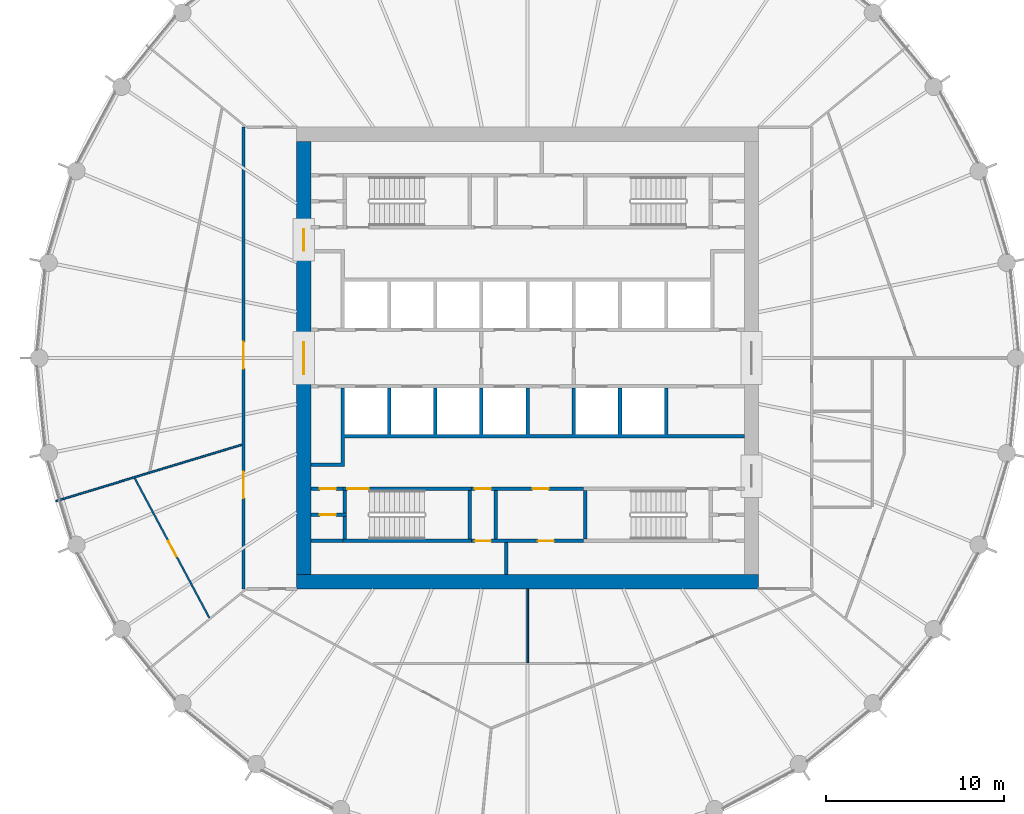
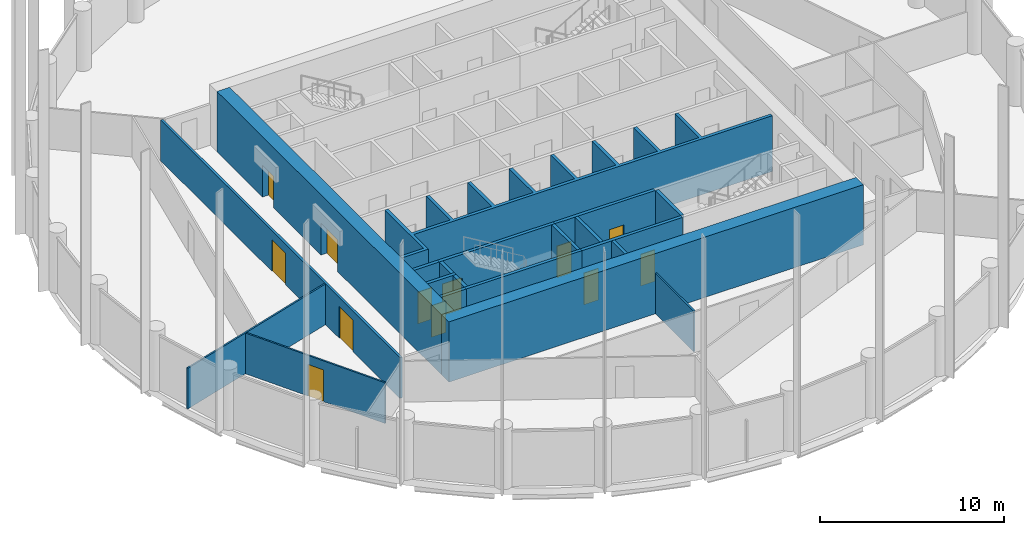
# One storey, part 4 of 8: 20 walls, 12 doors, 12 openings.
"""IFC4 building model written with IfcOpenShell, lengths in metres."""

import ifcopenshell
import ifcopenshell.guid

model = None  # the IFC model being written
_history = None  # IfcOwnerHistory: only IFC2X3 demands one
_inside = {}  # id of a spatial element -> (the spatial element, [elements in it])
_under = {}  # id of a project, library or spatial element -> (it, [spatial elements below it])
_declared = {}  # id of a project -> (the project, [libraries it declares])
_typed = {}  # id of a type object -> (the type object, [elements of that type])
_made_of = {}  # id of a material, layer set ... -> (it, [elements and type objects made of it])


def new_model(schema):
    """Start an empty IFC model of exactly this schema.

    Asked for "IFC4X3", IfcOpenShell would pick the latest addendum, in which some entities
    have other attributes; the version numbers below select the first issue.
    IFC2X3 requires an IfcOwnerHistory on every rooted entity: one is made here for all.
    """
    global model, _history
    if schema == "IFC4X3":
        model = ifcopenshell.file(schema_version=(4, 3, 0, 0))
    else:
        model = ifcopenshell.file(schema=schema)
    _inside.clear()
    _under.clear()
    _declared.clear()
    _typed.clear()
    _made_of.clear()
    _history = None
    if model.schema == "IFC2X3":
        org = make("IfcOrganization", Name="unknown")
        user = make(
            "IfcPersonAndOrganization",
            ThePerson=make("IfcPerson", FamilyName="unknown"),
            TheOrganization=org,
        )
        app = make(
            "IfcApplication",
            ApplicationDeveloper=org,
            Version="unknown",
            ApplicationFullName="unknown",
            ApplicationIdentifier="unknown",
        )
        _history = make(
            "IfcOwnerHistory",
            OwningUser=user,
            OwningApplication=app,
            ChangeAction="ADDED",
            CreationDate=0,
        )
    return model


def make(cls, **values):
    """One entity of the class cls with the attributes given. An attribute that is None is left unset."""
    return model.create_entity(
        cls, **{name: value for name, value in values.items() if value is not None}
    )


def rooted(cls, **values):
    """An entity with a GlobalId (a new one), such as an element, a storey or a relation."""
    return make(cls, GlobalId=ifcopenshell.guid.new(), OwnerHistory=_history, **values)


def si_unit(unit_type, name, prefix=None):
    """IfcSIUnit, for example si_unit("LENGTHUNIT", "METRE", prefix="MILLI")."""
    return make("IfcSIUnit", UnitType=unit_type, Prefix=prefix, Name=name)


def assignment(units):
    """IfcUnitAssignment: the units of a project."""
    return None if units is None else make("IfcUnitAssignment", Units=units)


def point(xyz):
    """IfcCartesianPoint."""
    return None if xyz is None else make("IfcCartesianPoint", Coordinates=xyz)


def direction(xyz):
    """IfcDirection."""
    return None if xyz is None else make("IfcDirection", DirectionRatios=xyz)


def frame(location, z_axis=None, x_axis=None):
    """IfcAxis2Placement3D, a coordinate frame: its origin and axes. An axis left out is left unset."""
    return make(
        "IfcAxis2Placement3D",
        Location=point(location),
        Axis=direction(z_axis),
        RefDirection=direction(x_axis),
    )


def frame_2d(location, x_axis=None):
    """IfcAxis2Placement2D, a coordinate frame in the plane: its origin and x axis."""
    return make(
        "IfcAxis2Placement2D", Location=point(location), RefDirection=direction(x_axis)
    )


def origin():
    """The frame at (0, 0, 0) with its axes left unset."""
    return frame((0.0, 0.0, 0.0))


def place(relative_to, where):
    """IfcLocalPlacement: puts the frame where relative to a parent placement (None: the world)."""
    return make(
        "IfcLocalPlacement", PlacementRelTo=relative_to, RelativePlacement=where
    )


def context(
    kind, dimensions, precision=None, world=None, true_north=None, identifier=None
):
    """IfcGeometricRepresentationContext, for example the 3D "Model" context."""
    return make(
        "IfcGeometricRepresentationContext",
        ContextIdentifier=identifier,
        ContextType=kind,
        CoordinateSpaceDimension=dimensions,
        Precision=precision,
        WorldCoordinateSystem=world,
        TrueNorth=true_north,
    )


def subcontext(parent, identifier, kind, view, scale=None):
    """IfcGeometricRepresentationSubContext, for example "Body" below "Model"."""
    return make(
        "IfcGeometricRepresentationSubContext",
        ContextIdentifier=identifier,
        ContextType=kind,
        ParentContext=parent,
        TargetScale=scale,
        TargetView=view,
    )


def project(units=None, contexts=None):
    """IfcProject with its units and contexts."""
    return rooted(
        "IfcProject",
        Name="project",
        RepresentationContexts=contexts,
        UnitsInContext=assignment(units),
    )


def spatial(cls, under=None, at=None, **own):
    """A site, building, storey or space (cls), placed at a placement, below another one or the project."""
    s = rooted(cls, ObjectPlacement=at, **own)
    if under is not None:
        _under.setdefault(under.id(), (under, []))[1].append(s)
    return s


def polyline(points):
    """IfcPolyline through the points."""
    return make("IfcPolyline", Points=[point(p) for p in points])


def profile(cls, at=None, kind="AREA", **sizes):
    """A parametric profile (cls). Its sizes go by their IFC names, for example OverallWidth=200.0."""
    return make(cls, ProfileType=kind, Position=at, **sizes)


def rectangle(**sizes):
    """IfcRectangleProfileDef."""
    return profile("IfcRectangleProfileDef", **sizes)


def outline(outer, holes=None, kind="AREA"):
    """IfcArbitraryClosedProfileDef: a profile drawn as a closed curve; with holes, ...WithVoids."""
    if holes is None:
        return make("IfcArbitraryClosedProfileDef", ProfileType=kind, OuterCurve=outer)
    return make(
        "IfcArbitraryProfileDefWithVoids",
        ProfileType=kind,
        OuterCurve=outer,
        InnerCurves=holes,
    )


def extrude(swept, where, along, depth):
    """IfcExtrudedAreaSolid: the profile swept, set in the frame where, extruded along a direction by depth."""
    return make(
        "IfcExtrudedAreaSolid",
        SweptArea=swept,
        Position=where,
        ExtrudedDirection=direction(along),
        Depth=depth,
    )


def shape(context_of_items, identifier, shape_type, items):
    """IfcShapeRepresentation: the items that make up one representation, for example the "Body"."""
    return make(
        "IfcShapeRepresentation",
        ContextOfItems=context_of_items,
        RepresentationIdentifier=identifier,
        RepresentationType=shape_type,
        Items=items,
    )


def material(Name=None, Category=None):
    """IfcMaterial."""
    return make("IfcMaterial", Name=Name, Category=Category)


def layer(
    of_material, thickness, ventilated=None, Name=None, Category=None, Priority=None
):
    """IfcMaterialLayer: one layer of a wall or slab, of a material (None: an air gap)."""
    return make(
        "IfcMaterialLayer",
        Material=of_material,
        LayerThickness=thickness,
        IsVentilated=ventilated,
        Name=Name,
        Category=Category,
        Priority=Priority,
    )


def layer_set(layers, Name=None):
    """IfcMaterialLayerSet."""
    return make("IfcMaterialLayerSet", MaterialLayers=layers, LayerSetName=Name)


def made_of(thing, what):
    """Note that an element or type object is made of a material, layer set ...; save() writes the relation."""
    if what is not None:
        _made_of.setdefault(what.id(), (what, []))[1].append(thing)
    return thing


def type_object(cls, material=None, **own):
    """A type object (cls), such as IfcWallType, which elements share."""
    return made_of(rooted(cls, **own), material)


def element(
    cls,
    number,
    at=None,
    inside=None,
    cuts=None,
    type_object=None,
    material=None,
    context=None,
    identifier="Body",
    shape_type=None,
    held_by="IfcProductDefinitionShape",
    body=None,
    shapes=None,
    **own,
):
    """One element of the class cls, such as IfcWall. Its Tag is "e" and its number.

    at: its placement. inside: the storey or other place that contains it. cuts: it is an
    opening in that element (IfcRelVoidsElement). A single representation is given by context,
    identifier, shape_type and body (its items); several are given by shapes. held_by: the class
    of the entity that holds the representations. save() writes the other relations.
    """
    e = rooted(cls, Tag="e%d" % number, ObjectPlacement=at, **own)
    if body is not None:
        shapes = [shape(context, identifier, shape_type, body)]
    if shapes is not None:
        e.Representation = make(held_by, Representations=shapes)
    if inside is not None:
        _inside.setdefault(inside.id(), (inside, []))[1].append(e)
    if cuts is not None:
        rooted(
            "IfcRelVoidsElement", RelatingBuildingElement=cuts, RelatedOpeningElement=e
        )
    if type_object is not None:
        _typed.setdefault(type_object.id(), (type_object, []))[1].append(e)
    return made_of(e, material)


def fill(opening, filler):
    """IfcRelFillsElement: the door or window that sits in an opening."""
    return rooted(
        "IfcRelFillsElement",
        RelatingOpeningElement=opening,
        RelatedBuildingElement=filler,
    )


def aggregate(whole, parts):
    """IfcRelAggregates: a whole, such as a stair, and the parts it consists of."""
    return rooted("IfcRelAggregates", RelatingObject=whole, RelatedObjects=parts)


def save(model, path):
    """Write the relations noted so far, then the file.

    IfcRelAggregates (storeys below a building ...), IfcRelContainedInSpatialStructure (elements
    in a storey), IfcRelDefinesByType, IfcRelAssociatesMaterial and IfcRelDeclares: one each for
    every whole, place, type object, material and project.
    """
    for whole, parts in _under.values():
        aggregate(whole, parts)
    for where, things in _inside.values():
        rooted(
            "IfcRelContainedInSpatialStructure",
            RelatedElements=things,
            RelatingStructure=where,
        )
    for kind, things in _typed.values():
        rooted("IfcRelDefinesByType", RelatedObjects=things, RelatingType=kind)
    for what, things in _made_of.values():
        rooted("IfcRelAssociatesMaterial", RelatedObjects=things, RelatingMaterial=what)
    for by, libraries in _declared.values():
        rooted("IfcRelDeclares", RelatingContext=by, RelatedDefinitions=libraries)
    model.write(path)


model = new_model("IFC4")

# Units and contexts
model_context = context("Model", 3, precision=1e-05, world=origin(), true_north=direction((0.0, 1.0)))
body_context = subcontext(model_context, "Body", "Model", "MODEL_VIEW")
ifc_project = project(units=[si_unit("LENGTHUNIT", "METRE"), si_unit("AREAUNIT", "SQUARE_METRE"), si_unit("VOLUMEUNIT", "CUBIC_METRE"), si_unit("PLANEANGLEUNIT", "RADIAN"), si_unit("MASSUNIT", "GRAM", prefix="KILO")], contexts=[model_context])

# Site, building, storey
site_placement = place(None, origin())
site = spatial("IfcSite", under=ifc_project, at=site_placement, CompositionType="ELEMENT")
building_placement = place(site_placement, origin())
building = spatial("IfcBuilding", under=site, at=building_placement, Name="Corvane Civic Tower", CompositionType="ELEMENT")
storey_placement = place(building_placement, frame((0.0, 0.0, 201.5)))
storey = spatial("IfcBuildingStorey", under=building, at=storey_placement, Name="L47", CompositionType="ELEMENT", Elevation=201.5)

# Wall
ifc_material_1 = material(Name="Concrete C50/60", Category="concrete")
ifc_layer_1 = layer(ifc_material_1, 0.800048828125)
ifc_layer_set_1 = layer_set([ifc_layer_1], Name="Concrete C50/60")
wall_type_1 = type_object("IfcWallType", Name="CORE WALL 800 C50/60", PredefinedType="SHEAR", material=ifc_layer_set_1)
wall_1_placement = place(storey_placement, frame((-13.0, -12.60009765625, 0.0), z_axis=(0.0, 0.0, 1.0), x_axis=(1.0, 0.0, 0.0)))
element("IfcWall", 1, at=wall_1_placement, inside=storey, type_object=wall_type_1, Name="W-L47-core-S", PredefinedType="SHEAR", context=body_context, shape_type="SweptSolid", body=[
    extrude(rectangle(XDim=26.0, YDim=0.800048828125, at=frame_2d((13.0, 0.0))), origin(), (0.0, 0.0, 1.0), 4.0),
])

# Wall, openings, doors
wall_2_placement = place(storey_placement, frame((-12.60009765625, -12.199951171875, 0.0), z_axis=(0.0, 0.0, 1.0), x_axis=(0.0, 1.0, 0.0)))
wall_2 = element("IfcWall", 2, at=wall_2_placement, inside=storey, type_object=wall_type_1, Name="W-L47-core-W", PredefinedType="SHEAR", context=body_context, shape_type="SweptSolid", body=[
    extrude(rectangle(XDim=24.39990234375, YDim=0.800048828125, at=frame_2d((12.199951171875, 0.0))), origin(), (0.0, 0.0, 1.0), 4.0),
])
opening_1_placement = place(wall_2_placement, frame((11.300048828125, 0.0, 0.0)))
opening_1 = element("IfcOpeningElement", 3, at=opening_1_placement, cuts=wall_2, Name="Opening L47.C30", PredefinedType="OPENING", context=body_context, shape_type="SweptSolid", body=[
    extrude(rectangle(XDim=1.800048828125, YDim=2.10009765625, at=frame_2d((0.89990234375, 1.050048828125))), frame((0.0, 0.409912109375, 0.0), z_axis=(0.0, -1.0, 0.0), x_axis=(1.0, 0.0, 0.0)), (0.0, 0.0, 1.0), 0.820068359375),
])
opening_2_placement = place(wall_2_placement, frame((18.25, 0.0, 0.0)))
opening_2 = element("IfcOpeningElement", 4, at=opening_2_placement, cuts=wall_2, Name="Opening L47.C32", PredefinedType="OPENING", context=body_context, shape_type="SweptSolid", body=[
    extrude(rectangle(XDim=1.199951171875, YDim=2.10009765625, at=frame_2d((0.60009765625, 1.050048828125))), frame((0.0, 0.409912109375, 0.0), z_axis=(0.0, -1.0, 0.0), x_axis=(1.0, 0.0, 0.0)), (0.0, 0.0, 1.0), 0.820068359375),
])
ifc_material_2 = material(Name="Steel fire door leaf", Category="steel")
door_type_1 = type_object("IfcDoorType", Name="CR-DOOR-CORE-1800", OperationType="DOUBLE_DOOR_SINGLE_SWING", PredefinedType="DOOR", material=ifc_material_2)
door_1_placement = place(opening_1_placement, origin())
door_1 = element("IfcDoor", 5, at=door_1_placement, inside=storey, type_object=door_type_1, Name="L47 door", OperationType="DOUBLE_DOOR_SINGLE_SWING", OverallHeight=2.10009765625, OverallWidth=1.800048828125, PredefinedType="DOOR", context=body_context, shape_type="SweptSolid", body=[
    extrude(rectangle(XDim=1.800048828125, YDim=2.10009765625, at=frame_2d((0.89990234375, 1.050048828125))), frame((0.0, 0.02490234375, 0.0), z_axis=(0.0, -1.0, 0.0), x_axis=(1.0, 0.0, 0.0)), (0.0, 0.0, 1.0), 0.050048828125),
])
fill(opening_1, door_1)
door_2_placement = place(opening_2_placement, origin())
door_2 = element("IfcDoor", 6, at=door_2_placement, inside=storey, type_object=door_type_1, Name="L47 door", OperationType="DOUBLE_DOOR_SINGLE_SWING", OverallHeight=2.10009765625, OverallWidth=1.199951171875, PredefinedType="DOOR", context=body_context, shape_type="SweptSolid", body=[
    extrude(rectangle(XDim=1.199951171875, YDim=2.10009765625, at=frame_2d((0.60009765625, 1.050048828125))), frame((0.0, 0.02490234375, 0.0), z_axis=(0.0, -1.0, 0.0), x_axis=(1.0, 0.0, 0.0)), (0.0, 0.0, 1.0), 0.050048828125),
])
fill(opening_2, door_2)

ifc_material_3 = material(Name="Concrete C30/37", Category="concrete")
ifc_layer_2 = layer(ifc_material_3, 0.199951171875)
ifc_layer_set_2 = layer_set([ifc_layer_2], Name="Concrete C30/37")
wall_type_2 = type_object("IfcWallType", Name="CR-WALL-200", PredefinedType="PARTITIONING", material=ifc_layer_set_2)
wall_3_placement = place(storey_placement, frame((-3.14990234375, -10.300048828125, 0.0), z_axis=(0.0, 0.0, 1.0), x_axis=(1.0, 0.0, 0.0)))
wall_3 = element("IfcWall", 7, at=wall_3_placement, inside=storey, type_object=wall_type_2, Name="L47 partition wall", PredefinedType="PARTITIONING", context=body_context, shape_type="SweptSolid", body=[
    extrude(rectangle(XDim=6.2998046875, YDim=0.199951171875, at=frame_2d((3.14990234375, 0.0))), origin(), (0.0, 0.0, 1.0), 3.699951171875),
])
opening_3_placement = place(wall_3_placement, frame((0.175048828125, 0.0, 0.0)))
opening_3 = element("IfcOpeningElement", 8, at=opening_3_placement, cuts=wall_3, Name="Opening L47.C12", PredefinedType="OPENING", context=body_context, shape_type="SweptSolid", body=[
    extrude(rectangle(XDim=0.89990234375, YDim=2.10009765625, at=frame_2d((0.449951171875, 1.050048828125))), frame((0.0, 0.10986328125, 0.0), z_axis=(0.0, -1.0, 0.0), x_axis=(1.0, 0.0, 0.0)), (0.0, 0.0, 1.0), 0.219970703125),
])
opening_4_placement = place(wall_3_placement, frame((3.72509765625, 0.0, 0.0)))
opening_4 = element("IfcOpeningElement", 9, at=opening_4_placement, cuts=wall_3, Name="Opening L47.C13", PredefinedType="OPENING", context=body_context, shape_type="SweptSolid", body=[
    extrude(rectangle(XDim=0.89990234375, YDim=2.10009765625, at=frame_2d((0.449951171875, 1.050048828125))), frame((0.0, 0.10986328125, 0.0), z_axis=(0.0, -1.0, 0.0), x_axis=(1.0, 0.0, 0.0)), (0.0, 0.0, 1.0), 0.219970703125),
])
ifc_material_4 = material(Name="Steel fire door leaf", Category="steel")
door_type_2 = type_object("IfcDoorType", Name="CR-DOOR-900", OperationType="SINGLE_SWING_LEFT", PredefinedType="DOOR", material=ifc_material_4)
door_3_placement = place(opening_3_placement, origin())
door_3 = element("IfcDoor", 10, at=door_3_placement, inside=storey, type_object=door_type_2, Name="L47 door", OperationType="SINGLE_SWING_LEFT", OverallHeight=2.10009765625, OverallWidth=0.89990234375, PredefinedType="DOOR", context=body_context, shape_type="SweptSolid", body=[
    extrude(rectangle(XDim=0.89990234375, YDim=2.10009765625, at=frame_2d((0.449951171875, 1.050048828125))), frame((0.0, 0.02490234375, 0.0), z_axis=(0.0, -1.0, 0.0), x_axis=(1.0, 0.0, 0.0)), (0.0, 0.0, 1.0), 0.050048828125),
])
fill(opening_3, door_3)
door_4_placement = place(opening_4_placement, origin())
door_4 = element("IfcDoor", 11, at=door_4_placement, inside=storey, type_object=door_type_2, Name="L47 door", OperationType="SINGLE_SWING_LEFT", OverallHeight=2.10009765625, OverallWidth=0.89990234375, PredefinedType="DOOR", context=body_context, shape_type="SweptSolid", body=[
    extrude(rectangle(XDim=0.89990234375, YDim=2.10009765625, at=frame_2d((0.449951171875, 1.050048828125))), frame((0.0, 0.02490234375, 0.0), z_axis=(0.0, -1.0, 0.0), x_axis=(1.0, 0.0, 0.0)), (0.0, 0.0, 1.0), 0.050048828125),
])
fill(opening_4, door_4)

# Wall, opening, door
wall_4_placement = place(storey_placement, frame((-12.199951171875, -8.824951171875, 0.0), z_axis=(0.0, 0.0, 1.0), x_axis=(1.0, 0.0, 0.0)))
wall_4 = element("IfcWall", 12, at=wall_4_placement, inside=storey, type_object=wall_type_2, Name="L47 partition wall", PredefinedType="PARTITIONING", context=body_context, shape_type="SweptSolid", body=[
    extrude(rectangle(XDim=2.0, YDim=0.199951171875, at=frame_2d((1.0, 0.0))), origin(), (0.0, 0.0, 1.0), 3.699951171875),
])
opening_5_placement = place(wall_4_placement, frame((0.5, 0.0, 0.0)))
opening_5 = element("IfcOpeningElement", 13, at=opening_5_placement, cuts=wall_4, Name="Opening L47.C18", PredefinedType="OPENING", context=body_context, shape_type="SweptSolid", body=[
    extrude(rectangle(XDim=0.89990234375, YDim=2.10009765625, at=frame_2d((0.449951171875, 1.050048828125))), frame((0.0, 0.10986328125, 0.0), z_axis=(0.0, -1.0, 0.0), x_axis=(1.0, 0.0, 0.0)), (0.0, 0.0, 1.0), 0.219970703125),
])
door_5_placement = place(opening_5_placement, origin())
door_5 = element("IfcDoor", 14, at=door_5_placement, inside=storey, type_object=door_type_2, Name="L47 door", OperationType="SINGLE_SWING_LEFT", OverallHeight=2.10009765625, OverallWidth=0.89990234375, PredefinedType="DOOR", context=body_context, shape_type="SweptSolid", body=[
    extrude(rectangle(XDim=0.89990234375, YDim=2.10009765625, at=frame_2d((0.449951171875, 1.050048828125))), frame((0.0, 0.02490234375, 0.0), z_axis=(0.0, -1.0, 0.0), x_axis=(1.0, 0.0, 0.0)), (0.0, 0.0, 1.0), 0.050048828125),
])
fill(opening_5, door_5)

wall_5_placement = place(storey_placement, frame((-12.199951171875, -7.35009765625, 0.0), z_axis=(0.0, 0.0, 1.0), x_axis=(1.0, 0.0, 0.0)))
wall_5 = element("IfcWall", 15, at=wall_5_placement, inside=storey, type_object=wall_type_2, Name="L47 core partition wall", PredefinedType="PARTITIONING", context=body_context, shape_type="SweptSolid", body=[
    extrude(rectangle(XDim=1.800048828125, YDim=0.199951171875, at=frame_2d((0.89990234375, 0.0))), origin(), (0.0, 0.0, 1.0), 3.699951171875),
])
opening_6_placement = place(wall_5_placement, frame((0.5, 0.0, 0.0)))
opening_6 = element("IfcOpeningElement", 16, at=opening_6_placement, cuts=wall_5, Name="Opening L47.C17", PredefinedType="OPENING", context=body_context, shape_type="SweptSolid", body=[
    extrude(rectangle(XDim=0.89990234375, YDim=2.10009765625, at=frame_2d((0.449951171875, 1.050048828125))), frame((0.0, 0.10986328125, 0.0), z_axis=(0.0, -1.0, 0.0), x_axis=(1.0, 0.0, 0.0)), (0.0, 0.0, 1.0), 0.219970703125),
])
door_6_placement = place(opening_6_placement, origin())
door_6 = element("IfcDoor", 17, at=door_6_placement, inside=storey, type_object=door_type_2, Name="L47 door", OperationType="SINGLE_SWING_LEFT", OverallHeight=2.10009765625, OverallWidth=0.89990234375, PredefinedType="DOOR", context=body_context, shape_type="SweptSolid", body=[
    extrude(rectangle(XDim=0.89990234375, YDim=2.10009765625, at=frame_2d((0.449951171875, 1.050048828125))), frame((0.0, 0.02490234375, 0.0), z_axis=(0.0, -1.0, 0.0), x_axis=(1.0, 0.0, 0.0)), (0.0, 0.0, 1.0), 0.050048828125),
])
fill(opening_6, door_6)

# Wall, openings, doors
wall_6_placement = place(storey_placement, frame((-3.14990234375, -7.35009765625, 0.0), z_axis=(0.0, 0.0, 1.0), x_axis=(1.0, 0.0, 0.0)))
wall_6 = element("IfcWall", 18, at=wall_6_placement, inside=storey, type_object=wall_type_2, Name="L47 core partition wall", PredefinedType="PARTITIONING", context=body_context, shape_type="SweptSolid", body=[
    extrude(rectangle(XDim=6.2998046875, YDim=0.199951171875, at=frame_2d((3.14990234375, 0.0))), origin(), (0.0, 0.0, 1.0), 3.699951171875),
])
opening_7_placement = place(wall_6_placement, frame((0.175048828125, 0.0, 0.0)))
opening_7 = element("IfcOpeningElement", 19, at=opening_7_placement, cuts=wall_6, Name="Opening L47.C08", PredefinedType="OPENING", context=body_context, shape_type="SweptSolid", body=[
    extrude(rectangle(XDim=0.89990234375, YDim=2.10009765625, at=frame_2d((0.449951171875, 1.050048828125))), frame((0.0, 0.10986328125, 0.0), z_axis=(0.0, -1.0, 0.0), x_axis=(1.0, 0.0, 0.0)), (0.0, 0.0, 1.0), 0.219970703125),
])
opening_8_placement = place(wall_6_placement, frame((3.425048828125, 0.0, 0.0)))
opening_8 = element("IfcOpeningElement", 20, at=opening_8_placement, cuts=wall_6, Name="Opening L47.C09", PredefinedType="OPENING", context=body_context, shape_type="SweptSolid", body=[
    extrude(rectangle(XDim=0.89990234375, YDim=2.10009765625, at=frame_2d((0.449951171875, 1.050048828125))), frame((0.0, 0.10986328125, 0.0), z_axis=(0.0, -1.0, 0.0), x_axis=(1.0, 0.0, 0.0)), (0.0, 0.0, 1.0), 0.219970703125),
])
door_7_placement = place(opening_7_placement, origin())
door_7 = element("IfcDoor", 21, at=door_7_placement, inside=storey, type_object=door_type_2, Name="L47 door", OperationType="SINGLE_SWING_LEFT", OverallHeight=2.10009765625, OverallWidth=0.89990234375, PredefinedType="DOOR", context=body_context, shape_type="SweptSolid", body=[
    extrude(rectangle(XDim=0.89990234375, YDim=2.10009765625, at=frame_2d((0.449951171875, 1.050048828125))), frame((0.0, 0.02490234375, 0.0), z_axis=(0.0, -1.0, 0.0), x_axis=(1.0, 0.0, 0.0)), (0.0, 0.0, 1.0), 0.050048828125),
])
fill(opening_7, door_7)
door_8_placement = place(opening_8_placement, origin())
door_8 = element("IfcDoor", 22, at=door_8_placement, inside=storey, type_object=door_type_2, Name="L47 door", OperationType="SINGLE_SWING_LEFT", OverallHeight=2.10009765625, OverallWidth=0.89990234375, PredefinedType="DOOR", context=body_context, shape_type="SweptSolid", body=[
    extrude(rectangle(XDim=0.89990234375, YDim=2.10009765625, at=frame_2d((0.449951171875, 1.050048828125))), frame((0.0, 0.02490234375, 0.0), z_axis=(0.0, -1.0, 0.0), x_axis=(1.0, 0.0, 0.0)), (0.0, 0.0, 1.0), 0.050048828125),
])
fill(opening_8, door_8)

# Walls
wall_7_placement = place(storey_placement, origin())
element("IfcWall", 23, at=wall_7_placement, inside=storey, type_object=wall_type_2, Name="L47 core partition wall", PredefinedType="PARTITIONING", context=body_context, shape_type="SweptSolid", body=[
    extrude(outline(polyline([(-10.39990234375, -10.39990234375), (-12.199951171875, -10.39990234375), (-12.199951171875, -10.199951171875), (-10.39990234375, -10.199951171875), (-10.39990234375, -10.39990234375)])), origin(), (0.0, 0.0, 1.0), 3.699951171875),
])
wall_8_placement = place(storey_placement, origin())
element("IfcWall", 24, at=wall_8_placement, inside=storey, type_object=wall_type_2, Name="L47 core partition wall", PredefinedType="PARTITIONING", context=body_context, shape_type="SweptSolid", body=[
    extrude(outline(polyline([(-1.699951171875, -7.449951171875), (-1.699951171875, -10.199951171875), (-1.89990234375, -10.199951171875), (-1.89990234375, -7.449951171875), (-1.699951171875, -7.449951171875)])), origin(), (0.0, 0.0, 1.0), 3.699951171875),
])
wall_9_placement = place(storey_placement, origin())
element("IfcWall", 25, at=wall_9_placement, inside=storey, type_object=wall_type_2, Name="L47 core partition wall", PredefinedType="PARTITIONING", context=body_context, shape_type="SweptSolid", body=[
    extrude(outline(polyline([(-1.10009765625, -12.199951171875), (-1.300048828125, -12.199951171875), (-1.300048828125, -10.39990234375), (-1.10009765625, -10.39990234375), (-1.10009765625, -12.199951171875)])), origin(), (0.0, 0.0, 1.0), 3.699951171875),
])
wall_10_placement = place(storey_placement, origin())
element("IfcWall", 26, at=wall_10_placement, inside=storey, type_object=wall_type_2, Name="L47 core partition wall", PredefinedType="PARTITIONING", context=body_context, shape_type="SweptSolid", body=[
    extrude(outline(polyline([(-10.5, -1.699951171875), (-10.300048828125, -1.699951171875), (-10.300048828125, -4.300048828125), (-7.89990234375, -4.300048828125), (-7.89990234375, -1.699951171875), (-7.699951171875, -1.699951171875), (-7.699951171875, -4.300048828125), (-5.300048828125, -4.300048828125), (-5.300048828125, -1.699951171875), (-5.10009765625, -1.699951171875), (-5.10009765625, -4.300048828125), (-2.699951171875, -4.300048828125), (-2.699951171875, -1.699951171875), (-2.5, -1.699951171875), (-2.5, -4.300048828125), (-0.10009765625, -4.300048828125), (-0.10009765625, -1.699951171875), (0.10009765625, -1.699951171875), (0.10009765625, -4.300048828125), (2.5, -4.300048828125), (2.5, -1.699951171875), (2.699951171875, -1.699951171875), (2.699951171875, -4.300048828125), (5.10009765625, -4.300048828125), (5.10009765625, -1.699951171875), (5.300048828125, -1.699951171875), (5.300048828125, -4.300048828125), (7.699951171875, -4.300048828125), (7.699951171875, -1.699951171875), (7.89990234375, -1.699951171875), (7.89990234375, -4.300048828125), (12.199951171875, -4.300048828125), (12.199951171875, -4.5), (-10.300048828125, -4.5), (-10.300048828125, -6.10009765625), (-12.199951171875, -6.10009765625), (-12.199951171875, -5.89990234375), (-10.5, -5.89990234375), (-10.5, -1.699951171875)])), origin(), (0.0, 0.0, 1.0), 3.699951171875),
])
ifc_material_5 = material(Name="Plasterboard")
ifc_layer_3 = layer(ifc_material_5, 0.10009765625)
ifc_layer_set_3 = layer_set([ifc_layer_3], Name="Plasterboard")
wall_type_3 = type_object("IfcWallType", Name="Partition 100 plasterboard on studs", PredefinedType="PARTITIONING", material=ifc_layer_set_3)
wall_11_placement = place(storey_placement, frame((0.0, -17.14990234375, 0.0), z_axis=(0.0, 0.0, 1.0), x_axis=(0.0, 1.0, 0.0)))
element("IfcWall", 27, at=wall_11_placement, inside=storey, type_object=wall_type_3, Name="Partition L47.007", PredefinedType="PARTITIONING", context=body_context, shape_type="SweptSolid", body=[
    extrude(rectangle(XDim=4.14990234375, YDim=0.10009765625, at=frame_2d((2.074951171875, 0.0))), origin(), (0.0, 0.0, 1.0), 2.699951171875),
])

# Wall, opening, door
wall_12_placement = place(storey_placement, frame((-22.119384765625, -6.772216796875, 0.0), z_axis=(0.0, 0.0, 1.0), x_axis=(0.471383151243, -0.881928525859, 0.0)))
wall_12 = element("IfcWall", 28, at=wall_12_placement, inside=storey, type_object=wall_type_3, Name="Partition L47.008", PredefinedType="PARTITIONING", context=body_context, shape_type="SweptSolid", body=[
    extrude(rectangle(XDim=8.90869140625, YDim=0.10009765625, at=frame_2d((4.454345703125, 0.0))), origin(), (0.0, 0.0, 1.0), 2.699951171875),
])
opening_9_placement = place(wall_12_placement, frame((3.990966796875, 0.0, 0.0)))
opening_9 = element("IfcOpeningElement", 29, at=opening_9_placement, cuts=wall_12, Name="Opening L47.014", PredefinedType="OPENING", context=body_context, shape_type="SweptSolid", body=[
    extrude(rectangle(XDim=1.0, YDim=2.10009765625, at=frame_2d((0.5, 1.050048828125))), frame((0.0, 0.06005859375, 0.0), z_axis=(0.0, -1.0, 0.0), x_axis=(1.0, 0.0, 0.0)), (0.0, 0.0, 1.0), 0.1201171875),
])
ifc_material_6 = material(Name="Timber", Category="wood")
door_type_3 = type_object("IfcDoorType", Name="Single door 1000", OperationType="NOTDEFINED", PredefinedType="DOOR", material=ifc_material_6)
door_9_placement = place(opening_9_placement, frame((1.0, 0.0, 0.0), z_axis=(0.0, 0.0, 1.0), x_axis=(-1.0, 0.0, 0.0)))
door_9 = element("IfcDoor", 30, at=door_9_placement, inside=storey, type_object=door_type_3, Name="Door L47.014", OperationType="SINGLE_SWING_LEFT", OverallHeight=2.10009765625, OverallWidth=1.0, PredefinedType="DOOR", context=body_context, shape_type="SweptSolid", body=[
    extrude(rectangle(XDim=1.0, YDim=2.10009765625, at=frame_2d((0.5, 1.050048828125))), frame((0.0, 0.02490234375, 0.0), z_axis=(0.0, -1.0, 0.0), x_axis=(1.0, 0.0, 0.0)), (0.0, 0.0, 1.0), 0.050048828125),
])
fill(opening_9, door_9)

# Wall
wall_13_placement = place(storey_placement, frame((-26.555419921875, -8.055419921875, 0.0), z_axis=(0.0, 0.0, 1.0), x_axis=(0.956939502521, 0.290287423971, 0.0)))
element("IfcWall", 31, at=wall_13_placement, inside=storey, type_object=wall_type_3, Name="Partition L47.016", PredefinedType="PARTITIONING", context=body_context, shape_type="SweptSolid", body=[
    extrude(rectangle(XDim=10.936767578125, YDim=0.10009765625, at=frame_2d((5.46826171875, 0.0))), origin(), (0.0, 0.0, 1.0), 2.699951171875),
])

# Wall, opening, door
ifc_material_7 = material(Name="Concrete C50/60", Category="concrete")
ifc_layer_4 = layer(ifc_material_7, 0.199951171875)
ifc_layer_set_4 = layer_set([ifc_layer_4], Name="Concrete C50/60")
wall_type_4 = type_object("IfcWallType", Name="ST-WALL-200", PredefinedType="SHEAR", material=ifc_layer_set_4)
wall_14_placement = place(storey_placement, frame((-10.39990234375, -7.35009765625, 0.0), z_axis=(0.0, 0.0, 1.0), x_axis=(1.0, 0.0, 0.0)))
wall_14 = element("IfcWall", 32, at=wall_14_placement, inside=storey, type_object=wall_type_4, Name="L47 stair enclosure wall", PredefinedType="SHEAR", context=body_context, shape_type="SweptSolid", body=[
    extrude(rectangle(XDim=7.25, YDim=0.199951171875, at=frame_2d((3.625, 0.0))), origin(), (0.0, 0.0, 1.0), 3.699951171875),
])
opening_10_placement = place(wall_14_placement, frame((0.25, 0.0, 0.0)))
opening_10 = element("IfcOpeningElement", 33, at=opening_10_placement, cuts=wall_14, Name="Opening L47.C27", PredefinedType="OPENING", context=body_context, shape_type="SweptSolid", body=[
    extrude(rectangle(XDim=1.199951171875, YDim=2.10009765625, at=frame_2d((0.60009765625, 1.050048828125))), frame((0.0, 0.10986328125, 0.0), z_axis=(0.0, -1.0, 0.0), x_axis=(1.0, 0.0, 0.0)), (0.0, 0.0, 1.0), 0.219970703125),
])
ifc_material_8 = material(Name="Steel fire door leaf", Category="steel")
door_type_4 = type_object("IfcDoorType", Name="ST-DOOR-1200", OperationType="SINGLE_SWING_RIGHT", PredefinedType="DOOR", material=ifc_material_8)
door_10_placement = place(opening_10_placement, origin())
door_10 = element("IfcDoor", 34, at=door_10_placement, inside=storey, type_object=door_type_4, Name="L47 stair door", OperationType="SINGLE_SWING_RIGHT", OverallHeight=2.10009765625, OverallWidth=1.199951171875, PredefinedType="DOOR", context=body_context, shape_type="SweptSolid", body=[
    extrude(rectangle(XDim=1.199951171875, YDim=2.10009765625, at=frame_2d((0.60009765625, 1.050048828125))), frame((0.0, 0.02490234375, 0.0), z_axis=(0.0, -1.0, 0.0), x_axis=(1.0, 0.0, 0.0)), (0.0, 0.0, 1.0), 0.050048828125),
])
fill(opening_10, door_10)

# Walls
wall_15_placement = place(storey_placement, origin())
element("IfcWall", 35, at=wall_15_placement, inside=storey, type_object=wall_type_4, Name="L47 stair enclosure wall", PredefinedType="SHEAR", context=body_context, shape_type="SweptSolid", body=[
    extrude(outline(polyline([(-3.14990234375, -10.199951171875), (-3.14990234375, -10.39990234375), (-10.39990234375, -10.39990234375), (-10.39990234375, -10.199951171875), (-3.14990234375, -10.199951171875)])), origin(), (0.0, 0.0, 1.0), 3.699951171875),
])
wall_16_placement = place(storey_placement, origin())
element("IfcWall", 36, at=wall_16_placement, inside=storey, type_object=wall_type_4, Name="L47 stair enclosure wall", PredefinedType="SHEAR", context=body_context, shape_type="SweptSolid", body=[
    extrude(outline(polyline([(-3.14990234375, -7.449951171875), (-3.14990234375, -10.199951171875), (-3.35009765625, -10.199951171875), (-3.35009765625, -7.449951171875), (-3.14990234375, -7.449951171875)])), origin(), (0.0, 0.0, 1.0), 3.699951171875),
])
wall_17_placement = place(storey_placement, origin())
element("IfcWall", 37, at=wall_17_placement, inside=storey, type_object=wall_type_4, Name="L47 stair enclosure wall", PredefinedType="SHEAR", context=body_context, shape_type="SweptSolid", body=[
    extrude(outline(polyline([(3.35009765625, -7.449951171875), (3.35009765625, -10.199951171875), (3.14990234375, -10.199951171875), (3.14990234375, -7.449951171875), (3.35009765625, -7.449951171875)])), origin(), (0.0, 0.0, 1.0), 3.699951171875),
])
wall_18_placement = place(storey_placement, origin())
element("IfcWall", 38, at=wall_18_placement, inside=storey, type_object=wall_type_4, Name="L47 stair enclosure wall", PredefinedType="SHEAR", context=body_context, shape_type="SweptSolid", body=[
    extrude(outline(polyline([(-10.199951171875, -7.449951171875), (-10.199951171875, -8.72509765625), (-10.39990234375, -8.72509765625), (-10.39990234375, -7.449951171875), (-10.199951171875, -7.449951171875)])), origin(), (0.0, 0.0, 1.0), 3.699951171875),
])
wall_19_placement = place(storey_placement, origin())
element("IfcWall", 39, at=wall_19_placement, inside=storey, type_object=wall_type_4, Name="L47 stair enclosure wall", PredefinedType="SHEAR", context=body_context, shape_type="SweptSolid", body=[
    extrude(outline(polyline([(-10.199951171875, -8.925048828125), (-10.199951171875, -10.199951171875), (-10.39990234375, -10.199951171875), (-10.39990234375, -8.925048828125), (-10.199951171875, -8.925048828125)])), origin(), (0.0, 0.0, 1.0), 3.699951171875),
])

# Wall, openings, doors
ifc_material_9 = material(Name="Plasterboard")
ifc_layer_5 = layer(ifc_material_9, 0.14990234375)
ifc_layer_set_5 = layer_set([ifc_layer_5], Name="Plasterboard")
wall_type_5 = type_object("IfcWallType", Name="Tenancy wall 150 EI 60", PredefinedType="PARTITIONING", material=ifc_layer_set_5)
wall_20_placement = place(storey_placement, frame((-16.0, -13.0, 0.0), z_axis=(0.0, 0.0, 1.0), x_axis=(0.0, 1.0, 0.0)))
wall_20 = element("IfcWall", 40, at=wall_20_placement, inside=storey, type_object=wall_type_5, Name="Partition L47.010", PredefinedType="PARTITIONING", context=body_context, shape_type="SweptSolid", body=[
    extrude(rectangle(XDim=26.0, YDim=0.14990234375, at=frame_2d((13.0, 0.0))), origin(), (0.0, 0.0, 1.0), 2.699951171875),
])
opening_11_placement = place(wall_20_placement, frame((5.10888671875, 0.0, 0.0)))
opening_11 = element("IfcOpeningElement", 41, at=opening_11_placement, cuts=wall_20, Name="Opening L47.015", PredefinedType="OPENING", context=body_context, shape_type="SweptSolid", body=[
    extrude(rectangle(XDim=1.5, YDim=2.10009765625, at=frame_2d((0.75, 1.050048828125))), frame((0.0, 0.0849609375, 0.0), z_axis=(0.0, -1.0, 0.0), x_axis=(1.0, 0.0, 0.0)), (0.0, 0.0, 1.0), 0.169921875),
])
opening_12_placement = place(wall_20_placement, frame((12.408447265625, 0.0, 0.0)))
opening_12 = element("IfcOpeningElement", 42, at=opening_12_placement, cuts=wall_20, Name="Opening L47.017", PredefinedType="OPENING", context=body_context, shape_type="SweptSolid", body=[
    extrude(rectangle(XDim=1.5, YDim=2.10009765625, at=frame_2d((0.75, 1.050048828125))), frame((0.0, 0.0849609375, 0.0), z_axis=(0.0, -1.0, 0.0), x_axis=(1.0, 0.0, 0.0)), (0.0, 0.0, 1.0), 0.169921875),
])
ifc_material_10 = material(Name="Steel and timber", Category="steel")
door_type_5 = type_object("IfcDoorType", Name="Fire door FD60 double 1500", OperationType="NOTDEFINED", PredefinedType="DOOR", material=ifc_material_10)
door_11_placement = place(opening_11_placement, origin())
door_11 = element("IfcDoor", 43, at=door_11_placement, inside=storey, type_object=door_type_5, Name="Door L47.015", OperationType="DOUBLE_DOOR_SINGLE_SWING", OverallHeight=2.10009765625, OverallWidth=1.5, PredefinedType="DOOR", context=body_context, shape_type="SweptSolid", body=[
    extrude(rectangle(XDim=1.5, YDim=2.10009765625, at=frame_2d((0.75, 1.050048828125))), frame((0.0, 0.02490234375, 0.0), z_axis=(0.0, -1.0, 0.0), x_axis=(1.0, 0.0, 0.0)), (0.0, 0.0, 1.0), 0.050048828125),
])
fill(opening_11, door_11)
door_12_placement = place(opening_12_placement, origin())
door_12 = element("IfcDoor", 44, at=door_12_placement, inside=storey, type_object=door_type_5, Name="Door L47.017", OperationType="DOUBLE_DOOR_SINGLE_SWING", OverallHeight=2.10009765625, OverallWidth=1.5, PredefinedType="DOOR", context=body_context, shape_type="SweptSolid", body=[
    extrude(rectangle(XDim=1.5, YDim=2.10009765625, at=frame_2d((0.75, 1.050048828125))), frame((0.0, 0.02490234375, 0.0), z_axis=(0.0, -1.0, 0.0), x_axis=(1.0, 0.0, 0.0)), (0.0, 0.0, 1.0), 0.050048828125),
])
fill(opening_12, door_12)

save(model, "model.ifc")
